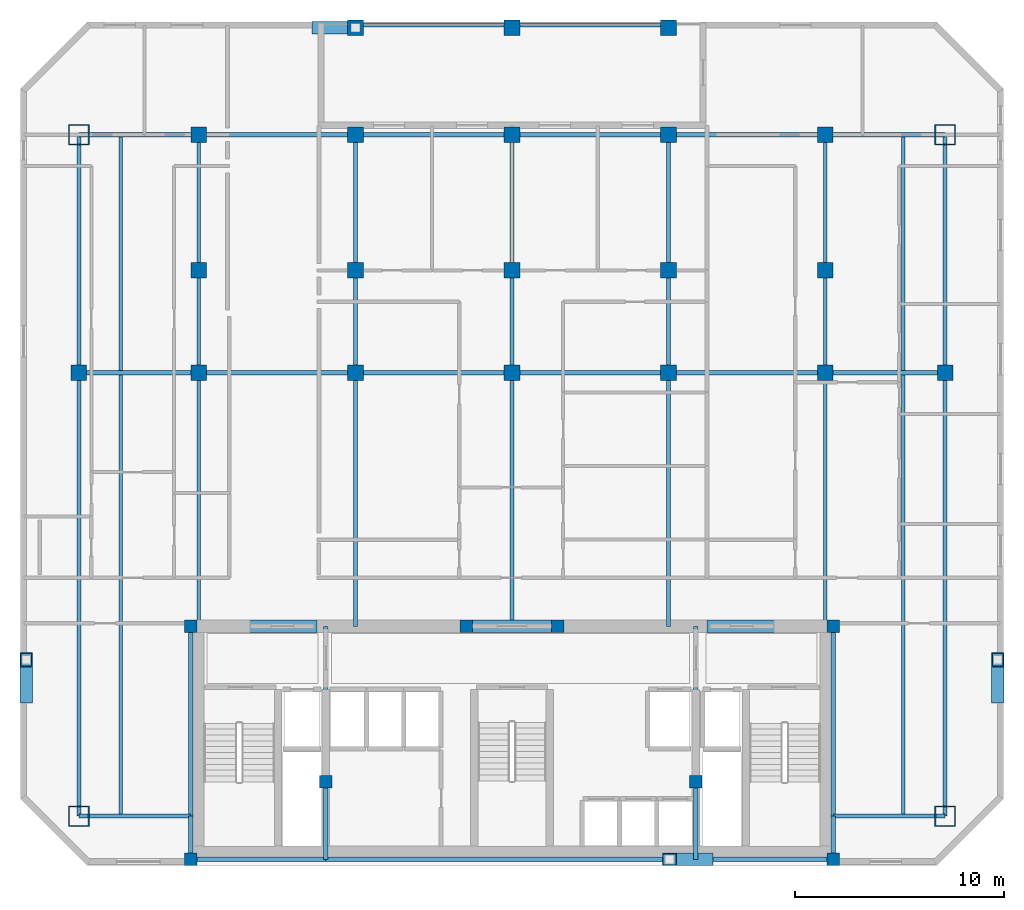
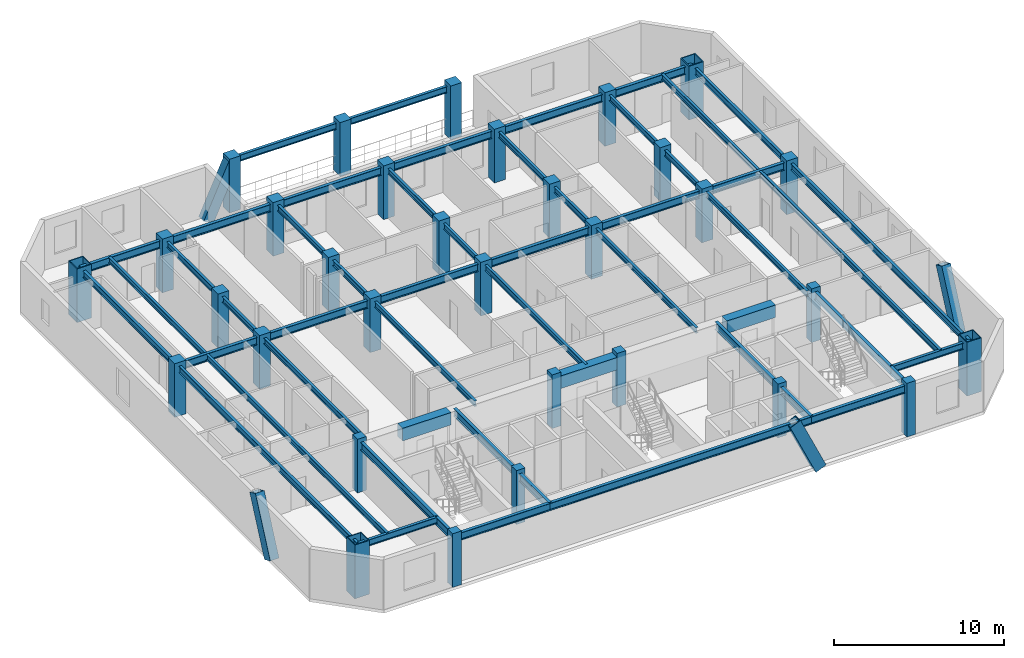
# One storey, part 1 of 8: 48 beams, 32 columns, 4 members.
"""IFC4 building model written with IfcOpenShell, lengths in metres."""

from ifc_helpers import new_model, si_unit, direction, frame, origin, origin_2d, place, context, subcontext, project, spatial, rectangle, hollow_rectangle, i_section, extrude, material, material_profile, profile_set, type_object, element, save


model = new_model("IFC4")

# Units and contexts
model_context = context("Model", 3, precision=1e-05, world=origin(), true_north=direction((0.0, 1.0)))
body_context = subcontext(model_context, "Body", "Model", "MODEL_VIEW")
ifc_project = project(units=[si_unit("LENGTHUNIT", "METRE"), si_unit("AREAUNIT", "SQUARE_METRE"), si_unit("VOLUMEUNIT", "CUBIC_METRE"), si_unit("PLANEANGLEUNIT", "RADIAN"), si_unit("MASSUNIT", "GRAM", prefix="KILO")], contexts=[model_context])

# Site, building, storey
site_placement = place(None, origin())
site = spatial("IfcSite", under=ifc_project, at=site_placement, CompositionType="ELEMENT")
building_placement = place(site_placement, origin())
building = spatial("IfcBuilding", under=site, at=building_placement, Name="Ventersveld Concourse Tower", CompositionType="ELEMENT")
storey_placement = place(building_placement, frame((0.0, 0.0, 200.300048828125)))
storey = spatial("IfcBuildingStorey", under=building, at=storey_placement, Name="L49", CompositionType="ELEMENT", Elevation=200.300048828125)

# Columns
ifc_material_1 = material(Name="Concrete C50/60", Category="concrete")
ifc_material_profile_1 = material_profile(ifc_material_1, rectangle(XDim=0.60009765625, YDim=0.60009765625, at=origin_2d()), Name="RC 600x600")
ifc_profile_set_1 = profile_set([ifc_material_profile_1], Name="Concrete C50/60")
column_type_1 = type_object("IfcColumnType", Name="COL-RC600", PredefinedType="COLUMN", material=ifc_profile_set_1)
for number, where, z_axis, x_axis, name in (
    (1, (13.35009765625, 0.280029296875, 0.0), (0.0, 0.0, 1.0), (1.0, 0.0, 0.0), "L49 Core Spine Column CC-SW"),
    (2, (44.14990234375, 0.280029296875, 0.0), (0.0, 0.0, 1.0), (1.0, 0.0, 0.0), "L49 Core Spine Column CC-SE"),
    (3, (13.35009765625, 11.449951171875, 0.0), (0.0, 0.0, 1.0), (1.0, 0.0, 0.0), "L49 Core Spine Column CC-NW"),
    (4, (44.14990234375, 11.449951171875, 0.0), (0.0, 0.0, 1.0), (1.0, 0.0, 0.0), "L49 Core Spine Column CC-NE"),
    (5, (19.820068359375, 4.0, 0.0), (0.0, 0.0, 1.0), (1.0, 0.0, 0.0), "L49 Core Spine Column CM-1"),
    (6, (37.550048828125, 4.0, 0.0), (0.0, 0.0, 1.0), (1.0, 0.0, 0.0), "L49 Core Spine Column CM-2"),
    (7, (26.550048828125, 11.449951171875, 0.0), (0.0, 0.0, 1.0), (1.0, 0.0, 0.0), "L49 Core Spine Column CM-3"),
    (8, (30.949951171875, 11.449951171875, 0.0), (0.0, 0.0, 1.0), (1.0, 0.0, 0.0), "L49 Core Spine Column CM-4"),
):
    element("IfcColumn", number, at=place(storey_placement, frame(where, z_axis=z_axis, x_axis=x_axis)), inside=storey, type_object=column_type_1, Name=name, PredefinedType="COLUMN", context=body_context, shape_type="SweptSolid", body=[
        extrude(rectangle(XDim=0.60009765625, YDim=0.60009765625, at=origin_2d()), origin(), (0.0, 0.0, 1.0), 3.849853515625),
    ])
ifc_material_profile_2 = material_profile(ifc_material_1, rectangle(XDim=0.75, YDim=0.75, at=origin_2d()), Name="RC 750x750")
ifc_profile_set_2 = profile_set([ifc_material_profile_2], Name="Concrete C50/60")
column_type_2 = type_object("IfcColumnType", Name="COL-RC750", PredefinedType="COLUMN", material=ifc_profile_set_2)
for number, where, z_axis, x_axis, name in (
    (9, (8.0, 23.60009765625, 0.0), (0.0, 0.0, 1.0), (1.0, 0.0, 0.0), "L49 Interior Gravity Column X=8.00 Y=23.60"),
    (10, (13.75, 23.60009765625, 0.0), (0.0, 0.0, 1.0), (1.0, 0.0, 0.0), "L49 Interior Gravity Column X=13.75 Y=23.60"),
    (11, (21.25, 23.60009765625, 0.0), (0.0, 0.0, 1.0), (1.0, 0.0, 0.0), "L49 Interior Gravity Column X=21.25 Y=23.60"),
    (12, (28.75, 23.60009765625, 0.0), (0.0, 0.0, 1.0), (1.0, 0.0, 0.0), "L49 Interior Gravity Column X=28.75 Y=23.60"),
    (13, (36.25, 23.60009765625, 0.0), (0.0, 0.0, 1.0), (1.0, 0.0, 0.0), "L49 Interior Gravity Column X=36.25 Y=23.60"),
    (14, (43.75, 23.60009765625, 0.0), (0.0, 0.0, 1.0), (1.0, 0.0, 0.0), "L49 Interior Gravity Column X=43.75 Y=23.60"),
    (15, (49.5, 23.60009765625, 0.0), (0.0, 0.0, 1.0), (1.0, 0.0, 0.0), "L49 Interior Gravity Column X=49.50 Y=23.60"),
    (16, (13.75, 28.5, 0.0), (0.0, 0.0, 1.0), (1.0, 0.0, 0.0), "L49 Upper-North Gravity Column X=13.75 Y=28.50"),
    (17, (21.25, 28.5, 0.0), (0.0, 0.0, 1.0), (1.0, 0.0, 0.0), "L49 Upper-North Gravity Column X=21.25 Y=28.50"),
    (18, (28.75, 28.5, 0.0), (0.0, 0.0, 1.0), (1.0, 0.0, 0.0), "L49 Upper-North Gravity Column X=28.75 Y=28.50"),
    (19, (36.25, 28.5, 0.0), (0.0, 0.0, 1.0), (1.0, 0.0, 0.0), "L49 Upper-North Gravity Column X=36.25 Y=28.50"),
    (20, (43.75, 28.5, 0.0), (0.0, 0.0, 1.0), (1.0, 0.0, 0.0), "L49 Upper-North Gravity Column X=43.75 Y=28.50"),
    (21, (21.25, 40.1201171875, 0.0), (0.0, 0.0, 1.0), (1.0, 0.0, 0.0), "L49 North Brace Node Column X=21.25 Y=40.12"),
    (22, (28.75, 40.1201171875, 0.0), (0.0, 0.0, 1.0), (1.0, 0.0, 0.0), "L49 North Brace Node Column X=28.75 Y=40.12"),
    (23, (36.25, 40.1201171875, 0.0), (0.0, 0.0, 1.0), (1.0, 0.0, 0.0), "L49 North Brace Node Column X=36.25 Y=40.12"),
    (24, (13.75, 35.0, 0.0), (0.0, 0.0, 1.0), (1.0, 0.0, 0.0), "L49 Mid-North Column X=13.75 Y=35.00"),
    (25, (21.25, 35.0, 0.0), (0.0, 0.0, 1.0), (1.0, 0.0, 0.0), "L49 Mid-North Column X=21.25 Y=35.00"),
    (26, (28.75, 35.0, 0.0), (0.0, 0.0, 1.0), (1.0, 0.0, 0.0), "L49 Mid-North Column X=28.75 Y=35.00"),
    (27, (36.25, 35.0, 0.0), (0.0, 0.0, 1.0), (1.0, 0.0, 0.0), "L49 Mid-North Column X=36.25 Y=35.00"),
    (28, (43.75, 35.0, 0.0), (0.0, 0.0, 1.0), (1.0, 0.0, 0.0), "L49 Mid-North Column X=43.75 Y=35.00"),
):
    element("IfcColumn", number, at=place(storey_placement, frame(where, z_axis=z_axis, x_axis=x_axis)), inside=storey, type_object=column_type_2, Name=name, PredefinedType="COLUMN", context=body_context, shape_type="SweptSolid", body=[
        extrude(rectangle(XDim=0.75, YDim=0.75, at=origin_2d()), origin(), (0.0, 0.0, 1.0), 3.849853515625),
    ])
ifc_material_2 = material(Name="Structural steel S460ML", Category="steel")
ifc_material_profile_3 = material_profile(ifc_material_2, hollow_rectangle(XDim=1.0, YDim=1.0, WallThickness=0.06005859375, at=origin_2d()), Name="BOX 1000x1000x60")
ifc_profile_set_3 = profile_set([ifc_material_profile_3], Name="Structural steel S460ML")
column_type_3 = type_object("IfcColumnType", Name="MC-1000", PredefinedType="USERDEFINED", material=ifc_profile_set_3)
for number, where, z_axis, x_axis, name in (
    (29, (8.0, 2.35009765625, 0.0), (0.0, 0.0, 1.0), (1.0, 0.0, 0.0), "L49 Corner Mega-Column MC-SW"),
    (30, (49.5, 2.35009765625, 0.0), (0.0, 0.0, 1.0), (1.0, 0.0, 0.0), "L49 Corner Mega-Column MC-SE"),
    (31, (49.5, 35.0, 0.0), (0.0, 0.0, 1.0), (1.0, 0.0, 0.0), "L49 Corner Mega-Column MC-NE"),
    (32, (8.0, 35.0, 0.0), (0.0, 0.0, 1.0), (1.0, 0.0, 0.0), "L49 Corner Mega-Column MC-NW"),
):
    element("IfcColumn", number, at=place(storey_placement, frame(where, z_axis=z_axis, x_axis=x_axis)), inside=storey, type_object=column_type_3, Name=name, ObjectType="MEGA_COLUMN", PredefinedType="USERDEFINED", context=body_context, shape_type="SweptSolid", body=[
        extrude(hollow_rectangle(XDim=1.0, YDim=1.0, WallThickness=0.06005859375, at=origin_2d()), origin(), (0.0, 0.0, 1.0), 3.849853515625),
    ])

# Beams
ifc_material_3 = material(Name="Structural steel S355J2", Category="steel")
ifc_material_profile_4 = material_profile(ifc_material_3, i_section(OverallWidth=0.177978515625, OverallDepth=0.406494140625, WebThickness=0.0078125, FlangeThickness=0.0126953125, FilletRadius=0.01025390625, at=origin_2d()), Name="UB 406x178x60")
ifc_profile_set_4 = profile_set([ifc_material_profile_4], Name="Structural steel S355J2")
beam_type_1 = type_object("IfcBeamType", Name="BM-UB406", PredefinedType="BEAM", material=ifc_profile_set_4)
beam_1_placement = place(storey_placement, frame((10.0, 2.35009765625, 3.36669921875), z_axis=(0.0, 1.0, 0.0), x_axis=(-1.0, 0.0, 0.0)))
element("IfcBeam", 33, at=beam_1_placement, inside=storey, type_object=beam_type_1, Name="L49 N-S Composite Floor Beam South X=10.00", PredefinedType="BEAM", context=body_context, shape_type="SweptSolid", body=[
    extrude(i_section(OverallWidth=0.177978515625, OverallDepth=0.406494140625, WebThickness=0.0078125, FlangeThickness=0.0126953125, FilletRadius=0.01025390625, at=origin_2d()), origin(), (0.0, 0.0, 1.0), 21.15478515625),
])
beam_2_placement = place(storey_placement, frame((10.0, 23.695068359375, 3.36669921875), z_axis=(0.0, 1.0, 0.0), x_axis=(-1.0, 0.0, 0.0)))
element("IfcBeam", 34, at=beam_2_placement, inside=storey, type_object=beam_type_1, Name="L49 N-S Composite Floor Beam Mid X=10.00", PredefinedType="BEAM", context=body_context, shape_type="SweptSolid", body=[
    extrude(i_section(OverallWidth=0.177978515625, OverallDepth=0.406494140625, WebThickness=0.0078125, FlangeThickness=0.0126953125, FilletRadius=0.01025390625, at=origin_2d()), origin(), (0.0, 0.0, 1.0), 11.304931640625),
])
beam_3_placement = place(storey_placement, frame((13.75, 11.449951171875, 3.36669921875), z_axis=(0.0, 1.0, 0.0), x_axis=(-1.0, 0.0, 0.0)))
element("IfcBeam", 35, at=beam_3_placement, inside=storey, type_object=beam_type_1, Name="L49 N-S Composite Floor Beam South X=13.75", PredefinedType="BEAM", context=body_context, shape_type="SweptSolid", body=[
    extrude(i_section(OverallWidth=0.177978515625, OverallDepth=0.406494140625, WebThickness=0.0078125, FlangeThickness=0.0126953125, FilletRadius=0.01025390625, at=origin_2d()), origin(), (0.0, 0.0, 1.0), 12.150146484375),
])
beam_4_placement = place(storey_placement, frame((13.75, 23.60009765625, 3.36669921875), z_axis=(0.0, 1.0, 0.0), x_axis=(-1.0, 0.0, 0.0)))
element("IfcBeam", 36, at=beam_4_placement, inside=storey, type_object=beam_type_1, Name="L49 N-S Composite Floor Beam Mid X=13.75", PredefinedType="BEAM", context=body_context, shape_type="SweptSolid", body=[
    extrude(i_section(OverallWidth=0.177978515625, OverallDepth=0.406494140625, WebThickness=0.0078125, FlangeThickness=0.0126953125, FilletRadius=0.01025390625, at=origin_2d()), origin(), (0.0, 0.0, 1.0), 11.39990234375),
])
beam_5_placement = place(storey_placement, frame((21.25, 11.449951171875, 3.36669921875), z_axis=(0.0, 1.0, 0.0), x_axis=(-1.0, 0.0, 0.0)))
element("IfcBeam", 37, at=beam_5_placement, inside=storey, type_object=beam_type_1, Name="L49 N-S Composite Floor Beam South X=21.25", PredefinedType="BEAM", context=body_context, shape_type="SweptSolid", body=[
    extrude(i_section(OverallWidth=0.177978515625, OverallDepth=0.406494140625, WebThickness=0.0078125, FlangeThickness=0.0126953125, FilletRadius=0.01025390625, at=origin_2d()), origin(), (0.0, 0.0, 1.0), 12.150146484375),
])
beam_6_placement = place(storey_placement, frame((21.25, 23.60009765625, 3.36669921875), z_axis=(0.0, 1.0, 0.0), x_axis=(-1.0, 0.0, 0.0)))
element("IfcBeam", 38, at=beam_6_placement, inside=storey, type_object=beam_type_1, Name="L49 N-S Composite Floor Beam Mid X=21.25", PredefinedType="BEAM", context=body_context, shape_type="SweptSolid", body=[
    extrude(i_section(OverallWidth=0.177978515625, OverallDepth=0.406494140625, WebThickness=0.0078125, FlangeThickness=0.0126953125, FilletRadius=0.01025390625, at=origin_2d()), origin(), (0.0, 0.0, 1.0), 11.39990234375),
])
beam_7_placement = place(storey_placement, frame((28.75, 11.449951171875, 3.36669921875), z_axis=(0.0, 1.0, 0.0), x_axis=(-1.0, 0.0, 0.0)))
element("IfcBeam", 39, at=beam_7_placement, inside=storey, type_object=beam_type_1, Name="L49 N-S Composite Floor Beam South X=28.75", PredefinedType="BEAM", context=body_context, shape_type="SweptSolid", body=[
    extrude(i_section(OverallWidth=0.177978515625, OverallDepth=0.406494140625, WebThickness=0.0078125, FlangeThickness=0.0126953125, FilletRadius=0.01025390625, at=origin_2d()), origin(), (0.0, 0.0, 1.0), 12.150146484375),
])
beam_8_placement = place(storey_placement, frame((28.75, 23.60009765625, 3.36669921875), z_axis=(0.0, 1.0, 0.0), x_axis=(-1.0, 0.0, 0.0)))
element("IfcBeam", 40, at=beam_8_placement, inside=storey, type_object=beam_type_1, Name="L49 N-S Composite Floor Beam Mid X=28.75", PredefinedType="BEAM", context=body_context, shape_type="SweptSolid", body=[
    extrude(i_section(OverallWidth=0.177978515625, OverallDepth=0.406494140625, WebThickness=0.0078125, FlangeThickness=0.0126953125, FilletRadius=0.01025390625, at=origin_2d()), origin(), (0.0, 0.0, 1.0), 11.39990234375),
])
beam_9_placement = place(storey_placement, frame((36.25, 11.449951171875, 3.36669921875), z_axis=(0.0, 1.0, 0.0), x_axis=(-1.0, 0.0, 0.0)))
element("IfcBeam", 41, at=beam_9_placement, inside=storey, type_object=beam_type_1, Name="L49 N-S Composite Floor Beam South X=36.25", PredefinedType="BEAM", context=body_context, shape_type="SweptSolid", body=[
    extrude(i_section(OverallWidth=0.177978515625, OverallDepth=0.406494140625, WebThickness=0.0078125, FlangeThickness=0.0126953125, FilletRadius=0.01025390625, at=origin_2d()), origin(), (0.0, 0.0, 1.0), 12.150146484375),
])
beam_10_placement = place(storey_placement, frame((36.25, 23.60009765625, 3.36669921875), z_axis=(0.0, 1.0, 0.0), x_axis=(-1.0, 0.0, 0.0)))
element("IfcBeam", 42, at=beam_10_placement, inside=storey, type_object=beam_type_1, Name="L49 N-S Composite Floor Beam Mid X=36.25", PredefinedType="BEAM", context=body_context, shape_type="SweptSolid", body=[
    extrude(i_section(OverallWidth=0.177978515625, OverallDepth=0.406494140625, WebThickness=0.0078125, FlangeThickness=0.0126953125, FilletRadius=0.01025390625, at=origin_2d()), origin(), (0.0, 0.0, 1.0), 11.39990234375),
])
beam_11_placement = place(storey_placement, frame((43.75, 11.449951171875, 3.36669921875), z_axis=(0.0, 1.0, 0.0), x_axis=(-1.0, 0.0, 0.0)))
element("IfcBeam", 43, at=beam_11_placement, inside=storey, type_object=beam_type_1, Name="L49 N-S Composite Floor Beam South X=43.75", PredefinedType="BEAM", context=body_context, shape_type="SweptSolid", body=[
    extrude(i_section(OverallWidth=0.177978515625, OverallDepth=0.406494140625, WebThickness=0.0078125, FlangeThickness=0.0126953125, FilletRadius=0.01025390625, at=origin_2d()), origin(), (0.0, 0.0, 1.0), 12.150146484375),
])
beam_12_placement = place(storey_placement, frame((43.75, 23.60009765625, 3.36669921875), z_axis=(0.0, 1.0, 0.0), x_axis=(-1.0, 0.0, 0.0)))
element("IfcBeam", 44, at=beam_12_placement, inside=storey, type_object=beam_type_1, Name="L49 N-S Composite Floor Beam Mid X=43.75", PredefinedType="BEAM", context=body_context, shape_type="SweptSolid", body=[
    extrude(i_section(OverallWidth=0.177978515625, OverallDepth=0.406494140625, WebThickness=0.0078125, FlangeThickness=0.0126953125, FilletRadius=0.01025390625, at=origin_2d()), origin(), (0.0, 0.0, 1.0), 11.39990234375),
])
beam_13_placement = place(storey_placement, frame((47.5, 2.35009765625, 3.36669921875), z_axis=(0.0, 1.0, 0.0), x_axis=(-1.0, 0.0, 0.0)))
element("IfcBeam", 45, at=beam_13_placement, inside=storey, type_object=beam_type_1, Name="L49 N-S Composite Floor Beam South X=47.50", PredefinedType="BEAM", context=body_context, shape_type="SweptSolid", body=[
    extrude(i_section(OverallWidth=0.177978515625, OverallDepth=0.406494140625, WebThickness=0.0078125, FlangeThickness=0.0126953125, FilletRadius=0.01025390625, at=origin_2d()), origin(), (0.0, 0.0, 1.0), 21.15478515625),
])
beam_14_placement = place(storey_placement, frame((47.5, 23.695068359375, 3.36669921875), z_axis=(0.0, 1.0, 0.0), x_axis=(-1.0, 0.0, 0.0)))
element("IfcBeam", 46, at=beam_14_placement, inside=storey, type_object=beam_type_1, Name="L49 N-S Composite Floor Beam Mid X=47.50", PredefinedType="BEAM", context=body_context, shape_type="SweptSolid", body=[
    extrude(i_section(OverallWidth=0.177978515625, OverallDepth=0.406494140625, WebThickness=0.0078125, FlangeThickness=0.0126953125, FilletRadius=0.01025390625, at=origin_2d()), origin(), (0.0, 0.0, 1.0), 11.304931640625),
])
ifc_material_profile_5 = material_profile(ifc_material_1, rectangle(XDim=0.60009765625, YDim=0.89990234375, at=origin_2d()), Name="RC 600x900")
ifc_profile_set_5 = profile_set([ifc_material_profile_5], Name="Concrete C50/60")
beam_type_2 = type_object("IfcBeamType", Name="CB-RC600x900U", PredefinedType="LINTEL", material=ifc_profile_set_5)
beam_15_placement = place(storey_placement, frame((16.10009765625, 11.449951171875, 3.119873046875), z_axis=(1.0, 0.0, 0.0), x_axis=(0.0, 1.0, 0.0)))
element("IfcBeam", 47, at=beam_15_placement, inside=storey, type_object=beam_type_2, Name="L49 Core Coupling Lintel Beam 1", PredefinedType="LINTEL", context=body_context, shape_type="SweptSolid", body=[
    extrude(rectangle(XDim=0.60009765625, YDim=0.89990234375, at=origin_2d()), origin(), (0.0, 0.0, 1.0), 3.2998046875),
])
beam_16_placement = place(storey_placement, frame((26.5, 11.449951171875, 3.119873046875), z_axis=(1.0, 0.0, 0.0), x_axis=(0.0, 1.0, 0.0)))
element("IfcBeam", 48, at=beam_16_placement, inside=storey, type_object=beam_type_2, Name="L49 Core Coupling Lintel Beam 2", PredefinedType="LINTEL", context=body_context, shape_type="SweptSolid", body=[
    extrude(rectangle(XDim=0.60009765625, YDim=0.89990234375, at=origin_2d()), origin(), (0.0, 0.0, 1.0), 4.5),
])
beam_17_placement = place(storey_placement, frame((38.10009765625, 11.449951171875, 3.119873046875), z_axis=(1.0, 0.0, 0.0), x_axis=(0.0, 1.0, 0.0)))
element("IfcBeam", 49, at=beam_17_placement, inside=storey, type_object=beam_type_2, Name="L49 Core Coupling Lintel Beam 3", PredefinedType="LINTEL", context=body_context, shape_type="SweptSolid", body=[
    extrude(rectangle(XDim=0.60009765625, YDim=0.89990234375, at=origin_2d()), origin(), (0.0, 0.0, 1.0), 3.2998046875),
])
ifc_material_profile_6 = material_profile(ifc_material_3, i_section(OverallWidth=0.2119140625, OverallDepth=0.54443359375, WebThickness=0.0126953125, FlangeThickness=0.021240234375, FilletRadius=0.0126953125, at=origin_2d()), Name="UB 533x210x122")
ifc_profile_set_6 = profile_set([ifc_material_profile_6], Name="Structural steel S355J2")
beam_type_3 = type_object("IfcBeamType", Name="GRD-UB533H", PredefinedType="T_BEAM", material=ifc_profile_set_6)
beam_18_placement = place(storey_placement, frame((13.35009765625, 0.280029296875, 3.297607421875), z_axis=(0.0, 1.0, 0.0), x_axis=(-1.0, 0.0, 0.0)))
element("IfcBeam", 50, at=beam_18_placement, inside=storey, type_object=beam_type_3, Name="L49 Core West Tie Beam S", PredefinedType="T_BEAM", context=body_context, shape_type="SweptSolid", body=[
    extrude(i_section(OverallWidth=0.2119140625, OverallDepth=0.54443359375, WebThickness=0.0126953125, FlangeThickness=0.021240234375, FilletRadius=0.0126953125, at=origin_2d()), origin(), (0.0, 0.0, 1.0), 2.070068359375),
])
beam_19_placement = place(storey_placement, frame((13.35009765625, 2.35009765625, 3.297607421875), z_axis=(0.0, 1.0, 0.0), x_axis=(-1.0, 0.0, 0.0)))
element("IfcBeam", 51, at=beam_19_placement, inside=storey, type_object=beam_type_3, Name="L49 Core West Tie Beam N", PredefinedType="T_BEAM", context=body_context, shape_type="SweptSolid", body=[
    extrude(i_section(OverallWidth=0.2119140625, OverallDepth=0.54443359375, WebThickness=0.0126953125, FlangeThickness=0.021240234375, FilletRadius=0.0126953125, at=origin_2d()), origin(), (0.0, 0.0, 1.0), 9.099853515625),
])
beam_20_placement = place(storey_placement, frame((44.14990234375, 0.280029296875, 3.297607421875), z_axis=(0.0, 1.0, 0.0), x_axis=(-1.0, 0.0, 0.0)))
element("IfcBeam", 52, at=beam_20_placement, inside=storey, type_object=beam_type_3, Name="L49 Core East Tie Beam S", PredefinedType="T_BEAM", context=body_context, shape_type="SweptSolid", body=[
    extrude(i_section(OverallWidth=0.2119140625, OverallDepth=0.54443359375, WebThickness=0.0126953125, FlangeThickness=0.021240234375, FilletRadius=0.0126953125, at=origin_2d()), origin(), (0.0, 0.0, 1.0), 2.070068359375),
])
beam_21_placement = place(storey_placement, frame((44.14990234375, 2.35009765625, 3.297607421875), z_axis=(0.0, 1.0, 0.0), x_axis=(-1.0, 0.0, 0.0)))
element("IfcBeam", 53, at=beam_21_placement, inside=storey, type_object=beam_type_3, Name="L49 Core East Tie Beam N", PredefinedType="T_BEAM", context=body_context, shape_type="SweptSolid", body=[
    extrude(i_section(OverallWidth=0.2119140625, OverallDepth=0.54443359375, WebThickness=0.0126953125, FlangeThickness=0.021240234375, FilletRadius=0.0126953125, at=origin_2d()), origin(), (0.0, 0.0, 1.0), 9.099853515625),
])
beam_22_placement = place(storey_placement, frame((13.35009765625, 0.280029296875, 3.297607421875), z_axis=(1.0, 0.0, 0.0), x_axis=(0.0, 1.0, 0.0)))
element("IfcBeam", 54, at=beam_22_placement, inside=storey, type_object=beam_type_3, Name="L49 Core South Tie Beam W", PredefinedType="T_BEAM", context=body_context, shape_type="SweptSolid", body=[
    extrude(i_section(OverallWidth=0.2119140625, OverallDepth=0.54443359375, WebThickness=0.0126953125, FlangeThickness=0.021240234375, FilletRadius=0.0126953125, at=origin_2d()), origin(), (0.0, 0.0, 1.0), 6.469970703125),
])
beam_23_placement = place(storey_placement, frame((19.820068359375, 0.280029296875, 3.297607421875), z_axis=(1.0, 0.0, 0.0), x_axis=(0.0, 1.0, 0.0)))
element("IfcBeam", 55, at=beam_23_placement, inside=storey, type_object=beam_type_3, Name="L49 Core South Tie Beam C", PredefinedType="T_BEAM", context=body_context, shape_type="SweptSolid", body=[
    extrude(i_section(OverallWidth=0.2119140625, OverallDepth=0.54443359375, WebThickness=0.0126953125, FlangeThickness=0.021240234375, FilletRadius=0.0126953125, at=origin_2d()), origin(), (0.0, 0.0, 1.0), 17.72998046875),
])
beam_24_placement = place(storey_placement, frame((37.550048828125, 0.280029296875, 3.297607421875), z_axis=(1.0, 0.0, 0.0), x_axis=(0.0, 1.0, 0.0)))
element("IfcBeam", 56, at=beam_24_placement, inside=storey, type_object=beam_type_3, Name="L49 Core South Tie Beam E", PredefinedType="T_BEAM", context=body_context, shape_type="SweptSolid", body=[
    extrude(i_section(OverallWidth=0.2119140625, OverallDepth=0.54443359375, WebThickness=0.0126953125, FlangeThickness=0.021240234375, FilletRadius=0.0126953125, at=origin_2d()), origin(), (0.0, 0.0, 1.0), 6.599853515625),
])
beam_25_placement = place(storey_placement, frame((19.820068359375, 0.280029296875, 3.297607421875), z_axis=(0.0, 1.0, 0.0), x_axis=(-1.0, 0.0, 0.0)))
element("IfcBeam", 57, at=beam_25_placement, inside=storey, type_object=beam_type_3, Name="L49 Core Spine N-S Tie Beam W1", PredefinedType="T_BEAM", context=body_context, shape_type="SweptSolid", body=[
    extrude(i_section(OverallWidth=0.2119140625, OverallDepth=0.54443359375, WebThickness=0.0126953125, FlangeThickness=0.021240234375, FilletRadius=0.0126953125, at=origin_2d()), origin(), (0.0, 0.0, 1.0), 3.719970703125),
])
beam_26_placement = place(storey_placement, frame((19.820068359375, 4.0, 3.297607421875), z_axis=(0.0, 1.0, 0.0), x_axis=(-1.0, 0.0, 0.0)))
element("IfcBeam", 58, at=beam_26_placement, inside=storey, type_object=beam_type_3, Name="L49 Core Spine N-S Tie Beam W2", PredefinedType="T_BEAM", context=body_context, shape_type="SweptSolid", body=[
    extrude(i_section(OverallWidth=0.2119140625, OverallDepth=0.54443359375, WebThickness=0.0126953125, FlangeThickness=0.021240234375, FilletRadius=0.0126953125, at=origin_2d()), origin(), (0.0, 0.0, 1.0), 7.449951171875),
])
beam_27_placement = place(storey_placement, frame((37.550048828125, 0.280029296875, 3.297607421875), z_axis=(0.0, 1.0, 0.0), x_axis=(-1.0, 0.0, 0.0)))
element("IfcBeam", 59, at=beam_27_placement, inside=storey, type_object=beam_type_3, Name="L49 Core Spine N-S Tie Beam E1", PredefinedType="T_BEAM", context=body_context, shape_type="SweptSolid", body=[
    extrude(i_section(OverallWidth=0.2119140625, OverallDepth=0.54443359375, WebThickness=0.0126953125, FlangeThickness=0.021240234375, FilletRadius=0.0126953125, at=origin_2d()), origin(), (0.0, 0.0, 1.0), 3.719970703125),
])
beam_28_placement = place(storey_placement, frame((37.550048828125, 4.0, 3.297607421875), z_axis=(0.0, 1.0, 0.0), x_axis=(-1.0, 0.0, 0.0)))
element("IfcBeam", 60, at=beam_28_placement, inside=storey, type_object=beam_type_3, Name="L49 Core Spine N-S Tie Beam E2", PredefinedType="T_BEAM", context=body_context, shape_type="SweptSolid", body=[
    extrude(i_section(OverallWidth=0.2119140625, OverallDepth=0.54443359375, WebThickness=0.0126953125, FlangeThickness=0.021240234375, FilletRadius=0.0126953125, at=origin_2d()), origin(), (0.0, 0.0, 1.0), 7.449951171875),
])
beam_29_placement = place(storey_placement, frame((8.0, 23.60009765625, 3.297607421875), z_axis=(1.0, 0.0, 0.0), x_axis=(0.0, 1.0, 0.0)))
element("IfcBeam", 61, at=beam_29_placement, inside=storey, type_object=beam_type_3, Name="L49 Primary E-W Grid Girder Y=23.60 #1", PredefinedType="T_BEAM", context=body_context, shape_type="SweptSolid", body=[
    extrude(i_section(OverallWidth=0.2119140625, OverallDepth=0.54443359375, WebThickness=0.0126953125, FlangeThickness=0.021240234375, FilletRadius=0.0126953125, at=origin_2d()), origin(), (0.0, 0.0, 1.0), 5.75),
])
for number, where, z_axis, x_axis, name in (
    (62, (13.75, 23.60009765625, 3.297607421875), (1.0, 0.0, 0.0), (0.0, 1.0, 0.0), "L49 Primary E-W Grid Girder Y=23.60 #2"),
    (63, (21.25, 23.60009765625, 3.297607421875), (1.0, 0.0, 0.0), (0.0, 1.0, 0.0), "L49 Primary E-W Grid Girder Y=23.60 #3"),
    (64, (28.75, 23.60009765625, 3.297607421875), (1.0, 0.0, 0.0), (0.0, 1.0, 0.0), "L49 Primary E-W Grid Girder Y=23.60 #4"),
    (65, (36.25, 23.60009765625, 3.297607421875), (1.0, 0.0, 0.0), (0.0, 1.0, 0.0), "L49 Primary E-W Grid Girder Y=23.60 #5"),
):
    element("IfcBeam", number, at=place(storey_placement, frame(where, z_axis=z_axis, x_axis=x_axis)), inside=storey, type_object=beam_type_3, Name=name, PredefinedType="T_BEAM", context=body_context, shape_type="SweptSolid", body=[
        extrude(i_section(OverallWidth=0.2119140625, OverallDepth=0.54443359375, WebThickness=0.0126953125, FlangeThickness=0.021240234375, FilletRadius=0.0126953125, at=origin_2d()), origin(), (0.0, 0.0, 1.0), 7.5),
    ])
for number, where, z_axis, x_axis, name in (
    (66, (43.75, 23.60009765625, 3.297607421875), (1.0, 0.0, 0.0), (0.0, 1.0, 0.0), "L49 Primary E-W Grid Girder Y=23.60 #6"),
    (67, (8.0, 35.0, 3.297607421875), (1.0, 0.0, 0.0), (0.0, 1.0, 0.0), "L49 E-W Grid Girder Y=35.00 #1"),
):
    element("IfcBeam", number, at=place(storey_placement, frame(where, z_axis=z_axis, x_axis=x_axis)), inside=storey, type_object=beam_type_3, Name=name, PredefinedType="T_BEAM", context=body_context, shape_type="SweptSolid", body=[
        extrude(i_section(OverallWidth=0.2119140625, OverallDepth=0.54443359375, WebThickness=0.0126953125, FlangeThickness=0.021240234375, FilletRadius=0.0126953125, at=origin_2d()), origin(), (0.0, 0.0, 1.0), 5.75),
    ])
for number, where, z_axis, x_axis, name in (
    (68, (13.75, 35.0, 3.297607421875), (1.0, 0.0, 0.0), (0.0, 1.0, 0.0), "L49 E-W Grid Girder Y=35.00 #2"),
    (69, (21.25, 35.0, 3.297607421875), (1.0, 0.0, 0.0), (0.0, 1.0, 0.0), "L49 E-W Grid Girder Y=35.00 #3"),
    (70, (28.75, 35.0, 3.297607421875), (1.0, 0.0, 0.0), (0.0, 1.0, 0.0), "L49 E-W Grid Girder Y=35.00 #4"),
    (71, (36.25, 35.0, 3.297607421875), (1.0, 0.0, 0.0), (0.0, 1.0, 0.0), "L49 E-W Grid Girder Y=35.00 #5"),
):
    element("IfcBeam", number, at=place(storey_placement, frame(where, z_axis=z_axis, x_axis=x_axis)), inside=storey, type_object=beam_type_3, Name=name, PredefinedType="T_BEAM", context=body_context, shape_type="SweptSolid", body=[
        extrude(i_section(OverallWidth=0.2119140625, OverallDepth=0.54443359375, WebThickness=0.0126953125, FlangeThickness=0.021240234375, FilletRadius=0.0126953125, at=origin_2d()), origin(), (0.0, 0.0, 1.0), 7.5),
    ])
beam_30_placement = place(storey_placement, frame((43.75, 35.0, 3.297607421875), z_axis=(1.0, 0.0, 0.0), x_axis=(0.0, 1.0, 0.0)))
element("IfcBeam", 72, at=beam_30_placement, inside=storey, type_object=beam_type_3, Name="L49 E-W Grid Girder Y=35.00 #6", PredefinedType="T_BEAM", context=body_context, shape_type="SweptSolid", body=[
    extrude(i_section(OverallWidth=0.2119140625, OverallDepth=0.54443359375, WebThickness=0.0126953125, FlangeThickness=0.021240234375, FilletRadius=0.0126953125, at=origin_2d()), origin(), (0.0, 0.0, 1.0), 5.75),
])

# Members
ifc_material_4 = material(Name="Structural steel S355ML", Category="steel")
ifc_material_profile_7 = material_profile(ifc_material_4, hollow_rectangle(XDim=0.60009765625, YDim=0.75, WallThickness=0.0400390625, at=origin_2d()), Name="BOX 750x600x40")
ifc_profile_set_7 = profile_set([ifc_material_profile_7], Name="Structural steel S355ML")
member_type = type_object("IfcMemberType", Name="MB-750x600", PredefinedType="BRACE", material=ifc_profile_set_7)
for number, where, z_axis, x_axis, name in (
    (73, (19.510498046875, 40.1201171875, -0.219970703125), (0.417130401951, 0.0, 0.908846647003), (0.0, 1.0, 0.0), "L49 Exterior Mega-Brace N (Module M11)"),
    (74, (38.03955078125, 0.280029296875, -0.219970703125), (-0.417130401951, 0.0, 0.908846647003), (0.0, -1.0, 0.0), "L49 Exterior Mega-Brace S (Module M11)"),
    (75, (5.47998046875, 8.110595703125, -0.219970703125), (0.0, 0.417130401951, 0.908846647003), (-1.0, 0.0, 0.0), "L49 Exterior Mega-Brace W (Module M11)"),
    (76, (52.02001953125, 8.110595703125, -0.219970703125), (0.0, 0.417130401951, 0.908846647003), (-1.0, 0.0, 0.0), "L49 Exterior Mega-Brace E (Module M11)"),
):
    element("IfcMember", number, at=place(storey_placement, frame(where, z_axis=z_axis, x_axis=x_axis)), inside=storey, type_object=member_type, Name=name, PredefinedType="BRACE", context=body_context, shape_type="SweptSolid", body=[
        extrude(hollow_rectangle(XDim=0.60009765625, YDim=0.75, WallThickness=0.0400390625, at=origin_2d()), origin(), (0.0, 0.0, 1.0), 4.170166015625),
    ])

# Beams
ifc_material_profile_8 = material_profile(ifc_material_3, i_section(OverallWidth=0.19140625, OverallDepth=0.4599609375, WebThickness=0.010009765625, FlangeThickness=0.01611328125, FilletRadius=0.01025390625, at=origin_2d()), Name="UB 457x191x82")
ifc_profile_set_8 = profile_set([ifc_material_profile_8], Name="Structural steel S355J2")
beam_type_4 = type_object("IfcBeamType", Name="SPD-UB457", PredefinedType="SPANDREL", material=ifc_profile_set_8)
for number, where, z_axis, x_axis, name in (
    (77, (8.0, 2.35009765625, 3.33984375), (1.0, 0.0, 0.0), (0.0, 1.0, 0.0), "L49 SW Spandrel Beam"),
    (78, (44.14990234375, 2.35009765625, 3.33984375), (1.0, 0.0, 0.0), (0.0, 1.0, 0.0), "L49 SE Spandrel Beam"),
):
    element("IfcBeam", number, at=place(storey_placement, frame(where, z_axis=z_axis, x_axis=x_axis)), inside=storey, type_object=beam_type_4, Name=name, PredefinedType="SPANDREL", context=body_context, shape_type="SweptSolid", body=[
        extrude(i_section(OverallWidth=0.19140625, OverallDepth=0.4599609375, WebThickness=0.010009765625, FlangeThickness=0.01611328125, FilletRadius=0.01025390625, at=origin_2d()), origin(), (0.0, 0.0, 1.0), 5.35009765625),
    ])
beam_31_placement = place(storey_placement, frame((8.0, 2.35009765625, 3.33984375), z_axis=(0.0, 1.0, 0.0), x_axis=(-1.0, 0.0, 0.0)))
element("IfcBeam", 79, at=beam_31_placement, inside=storey, type_object=beam_type_4, Name="L49 West Spandrel Beam S", PredefinedType="SPANDREL", context=body_context, shape_type="SweptSolid", body=[
    extrude(i_section(OverallWidth=0.19140625, OverallDepth=0.4599609375, WebThickness=0.010009765625, FlangeThickness=0.01611328125, FilletRadius=0.01025390625, at=origin_2d()), origin(), (0.0, 0.0, 1.0), 21.25),
])
beam_32_placement = place(storey_placement, frame((8.0, 23.60009765625, 3.33984375), z_axis=(0.0, 1.0, 0.0), x_axis=(-1.0, 0.0, 0.0)))
element("IfcBeam", 80, at=beam_32_placement, inside=storey, type_object=beam_type_4, Name="L49 West Spandrel Beam N", PredefinedType="SPANDREL", context=body_context, shape_type="SweptSolid", body=[
    extrude(i_section(OverallWidth=0.19140625, OverallDepth=0.4599609375, WebThickness=0.010009765625, FlangeThickness=0.01611328125, FilletRadius=0.01025390625, at=origin_2d()), origin(), (0.0, 0.0, 1.0), 11.39990234375),
])
beam_33_placement = place(storey_placement, frame((49.5, 2.35009765625, 3.33984375), z_axis=(0.0, 1.0, 0.0), x_axis=(-1.0, 0.0, 0.0)))
element("IfcBeam", 81, at=beam_33_placement, inside=storey, type_object=beam_type_4, Name="L49 East Spandrel Beam S", PredefinedType="SPANDREL", context=body_context, shape_type="SweptSolid", body=[
    extrude(i_section(OverallWidth=0.19140625, OverallDepth=0.4599609375, WebThickness=0.010009765625, FlangeThickness=0.01611328125, FilletRadius=0.01025390625, at=origin_2d()), origin(), (0.0, 0.0, 1.0), 21.25),
])
beam_34_placement = place(storey_placement, frame((49.5, 23.60009765625, 3.33984375), z_axis=(0.0, 1.0, 0.0), x_axis=(-1.0, 0.0, 0.0)))
element("IfcBeam", 82, at=beam_34_placement, inside=storey, type_object=beam_type_4, Name="L49 East Spandrel Beam N", PredefinedType="SPANDREL", context=body_context, shape_type="SweptSolid", body=[
    extrude(i_section(OverallWidth=0.19140625, OverallDepth=0.4599609375, WebThickness=0.010009765625, FlangeThickness=0.01611328125, FilletRadius=0.01025390625, at=origin_2d()), origin(), (0.0, 0.0, 1.0), 11.39990234375),
])
for number, where, z_axis, x_axis, name in (
    (83, (21.25, 40.25, 3.33984375), (1.0, 0.0, 0.0), (0.0, 1.0, 0.0), "L49 Terrace Edge Spandrel W"),
    (84, (28.75, 40.25, 3.33984375), (1.0, 0.0, 0.0), (0.0, 1.0, 0.0), "L49 Terrace Edge Spandrel E"),
):
    element("IfcBeam", number, at=place(storey_placement, frame(where, z_axis=z_axis, x_axis=x_axis)), inside=storey, type_object=beam_type_4, Name=name, PredefinedType="SPANDREL", context=body_context, shape_type="SweptSolid", body=[
        extrude(i_section(OverallWidth=0.19140625, OverallDepth=0.4599609375, WebThickness=0.010009765625, FlangeThickness=0.01611328125, FilletRadius=0.01025390625, at=origin_2d()), origin(), (0.0, 0.0, 1.0), 7.5),
    ])

save(model, "model.ifc")
